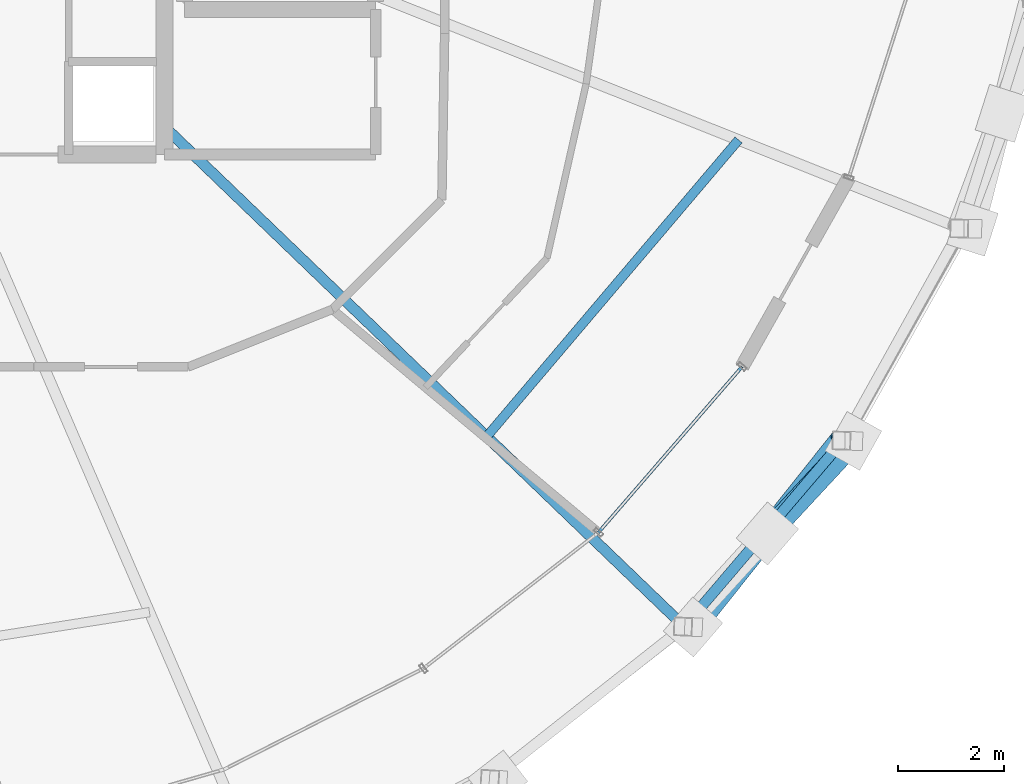
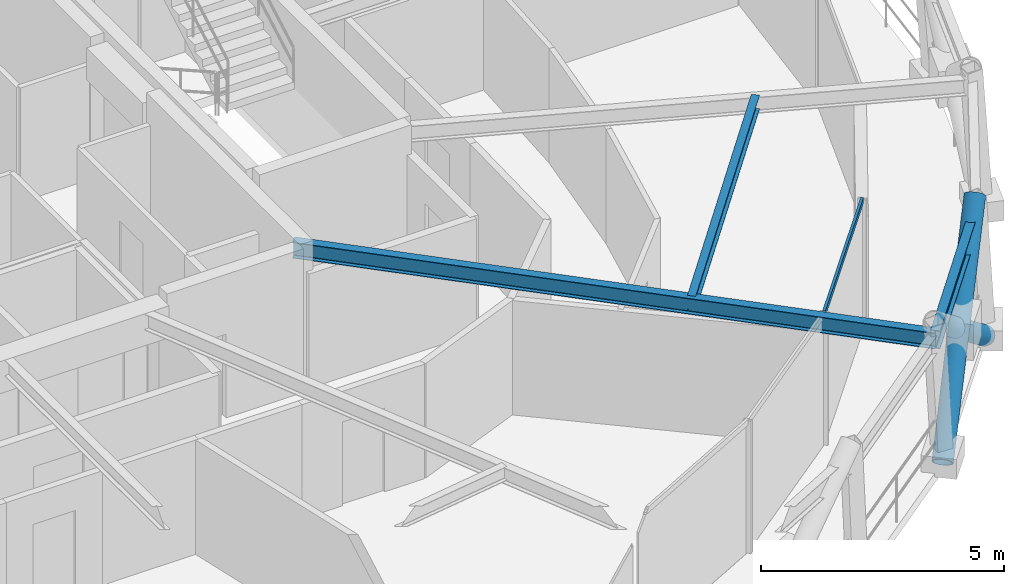
# One storey, part 5 of 18: 3 beams, 3 members, 1 element without a shape of its own.
"""IFC4 building model written with IfcOpenShell, lengths in metres."""

from ifc_helpers import new_model, si_unit, direction, frame, origin, origin_2d, place, context, subcontext, project, spatial, hollow_rectangle, hollow_circle, i_section, extrude, material, layer, layer_set, material_profile, profile_set, type_object, element, aggregate, save


model = new_model("IFC4")

# Units and contexts
model_context = context("Model", 3, precision=1e-05, world=origin(), true_north=direction((0.0, 1.0)))
body_context = subcontext(model_context, "Body", "Model", "MODEL_VIEW")
ifc_project = project(units=[si_unit("LENGTHUNIT", "METRE"), si_unit("AREAUNIT", "SQUARE_METRE"), si_unit("VOLUMEUNIT", "CUBIC_METRE"), si_unit("PLANEANGLEUNIT", "RADIAN"), si_unit("MASSUNIT", "GRAM", prefix="KILO")], contexts=[model_context])

# Site, building, storey
site_placement = place(None, origin())
site = spatial("IfcSite", under=ifc_project, at=site_placement, CompositionType="ELEMENT")
building_placement = place(site_placement, origin())
building = spatial("IfcBuilding", under=site, at=building_placement, Name="Veldorina Hangang Commons", CompositionType="ELEMENT")
storey_placement = place(building_placement, frame((0.0, 0.0, 232.800048828125)))
storey = spatial("IfcBuildingStorey", under=building, at=storey_placement, Name="L60", CompositionType="ELEMENT", Elevation=232.800048828125)

# Beams
ifc_material_1 = material(Name="Steel SM355-TMC", Category="steel")
ifc_material_profile_1 = material_profile(ifc_material_1, i_section(OverallWidth=0.199951171875, OverallDepth=0.39990234375, WebThickness=0.008056640625, FlangeThickness=0.012939453125, FilletRadius=0.012939453125, at=origin_2d()), Name="H-400x200x8x13")
ifc_profile_set_1 = profile_set([ifc_material_profile_1], Name="Steel SM355-TMC")
beam_type_1 = type_object("IfcBeamType", Name="BM-FG400", PredefinedType="BEAM", material=ifc_profile_set_1)
beam_1_placement = place(storey_placement, frame((39.199951171875, 17.07666015625, 3.159912109375), z_axis=(0.720817870164, -0.693124518433, 0.0), x_axis=(0.693124518433, 0.720817870164, 0.0)))
element("IfcBeam", 1, at=beam_1_placement, inside=storey, type_object=beam_type_1, Name="L60 radial floor girder 15", PredefinedType="BEAM", context=body_context, shape_type="SweptSolid", body=[
    extrude(i_section(OverallWidth=0.199951171875, OverallDepth=0.39990234375, WebThickness=0.008056640625, FlangeThickness=0.012939453125, FilletRadius=0.012939453125, at=origin_2d()), origin(), (0.0, 0.0, 1.0), 13.585205078125),
])
ifc_material_profile_2 = material_profile(ifc_material_1, i_section(OverallWidth=0.175048828125, OverallDepth=0.35009765625, WebThickness=0.007080078125, FlangeThickness=0.010986328125, FilletRadius=0.012939453125, at=origin_2d()), Name="H-350x175x7x11")
ifc_profile_set_2 = profile_set([ifc_material_profile_2], Name="Steel SM355-TMC")
beam_type_2 = type_object("IfcBeamType", Name="BM-JST350", PredefinedType="JOIST", material=ifc_profile_set_2)
beam_2_placement = place(storey_placement, frame((45.271240234375, 11.238525390625, 3.18505859375), z_axis=(0.647154111622, 0.762359203926, 0.0), x_axis=(-0.762359203926, 0.647154111622, 0.0)))
element("IfcBeam", 2, at=beam_2_placement, inside=storey, type_object=beam_type_2, Name="L60 secondary floor joist 15", PredefinedType="JOIST", context=body_context, shape_type="SweptSolid", body=[
    extrude(i_section(OverallWidth=0.175048828125, OverallDepth=0.35009765625, WebThickness=0.007080078125, FlangeThickness=0.010986328125, FilletRadius=0.012939453125, at=origin_2d()), origin(), (0.0, 0.0, 1.0), 7.328125),
])
ifc_material_profile_3 = material_profile(ifc_material_1, i_section(OverallWidth=0.199951171875, OverallDepth=0.449951171875, WebThickness=0.009033203125, FlangeThickness=0.013916015625, FilletRadius=0.01611328125, at=origin_2d()), Name="H-450x200x9x14")
ifc_profile_set_3 = profile_set([ifc_material_profile_3], Name="Steel SM355-TMC")
beam_type_3 = type_object("IfcBeamType", Name="BM-RB450", PredefinedType="BEAM", material=ifc_profile_set_3)
beam_3_placement = place(storey_placement, frame((48.992431640625, 7.660400390625, 3.135009765625), z_axis=(0.649200277613, 0.760617511991, 0.0), x_axis=(-0.760617511991, 0.649200277613, 0.0)))
element("IfcBeam", 3, at=beam_3_placement, inside=storey, type_object=beam_type_3, Name="L60 perimeter hoop ring beam 28", PredefinedType="BEAM", context=body_context, shape_type="SweptSolid", body=[
    extrude(i_section(OverallWidth=0.199951171875, OverallDepth=0.449951171875, WebThickness=0.009033203125, FlangeThickness=0.013916015625, FilletRadius=0.01611328125, at=origin_2d()), origin(), (0.0, 0.0, 1.0), 4.603759765625),
])

# Curtain wall, member
ifc_material_2 = material(Name="Glass Low-E Selective", Category="glass")
ifc_layer = layer(ifc_material_2, 0.179931640625)
ifc_layer_set = layer_set([ifc_layer], Name="Glass Low-E Selective")
curtain_wall_type = type_object("IfcCurtainWallType", Name="CW-SYS-Z3", PredefinedType="NOTDEFINED", material=ifc_layer_set)
curtain_wall_placement = place(storey_placement, origin())
curtain_wall = element("IfcCurtainWall", 4, at=curtain_wall_placement, inside=storey, type_object=curtain_wall_type, Name="L60 unitised curtain wall CW-L60-R1", PredefinedType="NOTDEFINED")
ifc_material_3 = material(Name="Aluminium Anodized AA6063-T6", Category="aluminium")
ifc_material_profile_4 = material_profile(ifc_material_3, hollow_rectangle(XDim=0.06005859375, YDim=0.139892578125, WallThickness=0.00341796875, at=origin_2d()), Name="ALU-RHS-140x60x3.5")
ifc_profile_set_4 = profile_set([ifc_material_profile_4], Name="Aluminium Anodized AA6063-T6")
member_type_1 = type_object("IfcMemberType", Name="CW-TRN-140", PredefinedType="USERDEFINED", material=ifc_profile_set_4)
member_1_placement = place(storey_placement, frame((47.376708984375, 9.434814453125, 3.280029296875), z_axis=(0.654788747, 0.755811945395, 0.0), x_axis=(-0.755811945395, 0.654788747, 0.0)))
member_1 = element("IfcMember", 5, at=member_1_placement, type_object=member_type_1, Name="CW-L60-R1 facet 4 transom 1", ObjectType="TRANSOM", PredefinedType="USERDEFINED", context=body_context, shape_type="SweptSolid", body=[
    extrude(hollow_rectangle(XDim=0.06005859375, YDim=0.139892578125, WallThickness=0.00341796875, at=origin_2d()), origin(), (0.0, 0.0, 1.0), 4.130126953125),
])
aggregate(curtain_wall, [member_1])

# Members
ifc_material_profile_5 = material_profile(ifc_material_1, hollow_circle(Radius=0.22509765625, WallThickness=0.02197265625, at=origin_2d()), Name="CHS-450x22")
ifc_profile_set_5 = profile_set([ifc_material_profile_5], Name="Steel SM355-TMC")
member_type_2 = type_object("IfcMemberType", Name="DG-CHS450", PredefinedType="BRACE", material=ifc_profile_set_5)
member_2_placement = place(storey_placement, frame((49.15869140625, 7.653076171875, 0.0), z_axis=(0.485684203701, 0.61022514529, 0.625888269846), x_axis=(-0.782427466791, 0.622741727533, 0.0)))
element("IfcMember", 6, at=member_2_placement, inside=storey, type_object=member_type_2, Name="L60 continuous perimeter diagrid brace 28", PredefinedType="BRACE", context=body_context, shape_type="SweptSolid", body=[
    extrude(hollow_circle(Radius=0.22509765625, WallThickness=0.02197265625, at=origin_2d()), origin(), (0.0, 0.0, 1.0), 5.751708984375),
])
member_3_placement = place(storey_placement, frame((52.176513671875, 11.15625, 0.0), z_axis=(-0.54181817334, -0.584094055564, 0.604373395587), x_axis=(0.733140676978, -0.680077016051, 0.0)))
element("IfcMember", 7, at=member_3_placement, inside=storey, type_object=member_type_2, Name="L60 split perimeter diagrid lower brace 29", PredefinedType="BRACE", context=body_context, shape_type="SweptSolid", body=[
    extrude(hollow_circle(Radius=0.22509765625, WallThickness=0.02197265625, at=origin_2d()), origin(), (0.0, 0.0, 1.0), 2.985595703125),
])

save(model, "model.ifc")
